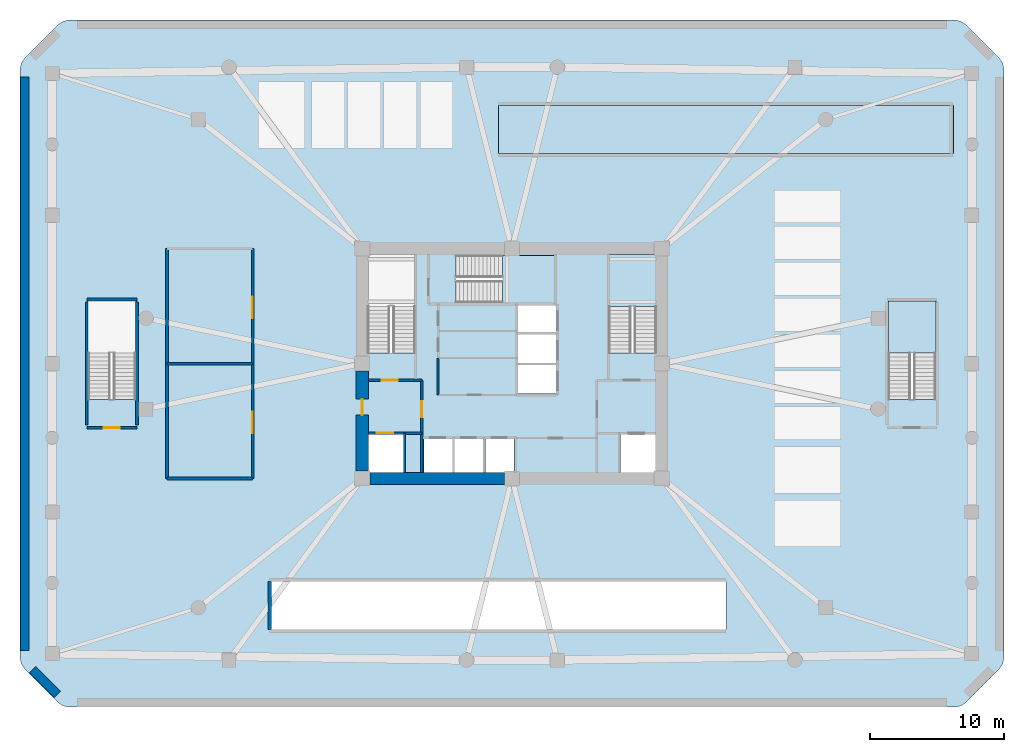
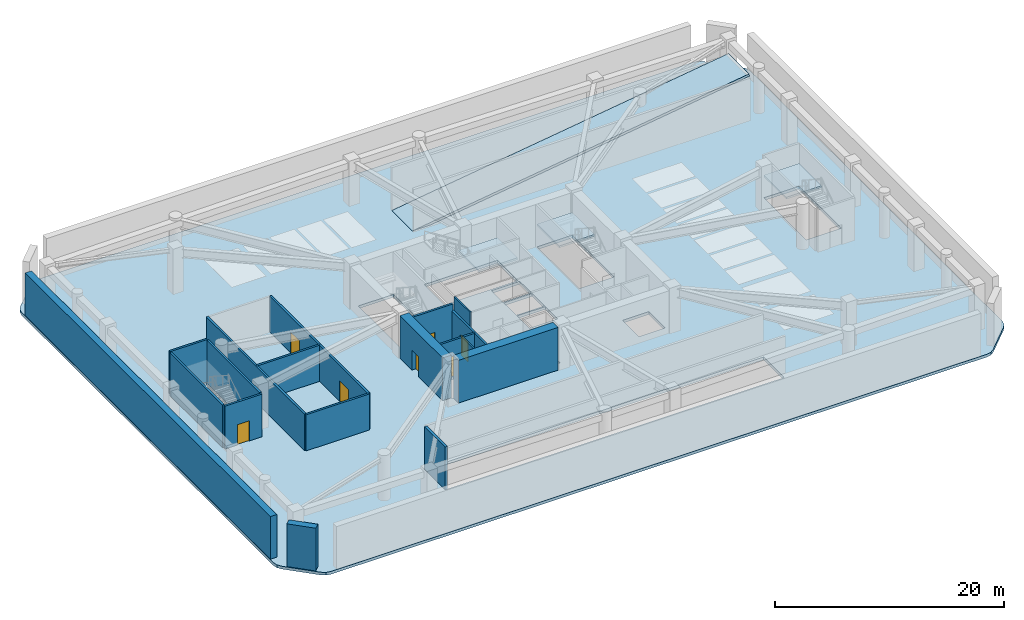
# One storey, part 2 of 8: 18 walls, 7 doors, 5 slabs, 7 openings, 3 elements without a shape of their own.
"""IFC4 building model written with IfcOpenShell, lengths in metres."""

from ifc_helpers import new_model, si_unit, derived_unit, direction, frame, frame_2d, origin, place, context, subcontext, project, spatial, polyline, rectangle, outline, extrude, material, layer, layer_set, type_object, element, fill, aggregate, save


model = new_model("IFC4")

# Units and contexts
model_context = context("Model", 3, precision=1e-05, world=origin(), true_north=direction((0.0, 1.0)))
body_context = subcontext(model_context, "Body", "Model", "MODEL_VIEW")
ifc_project = project(units=[si_unit("LENGTHUNIT", "METRE"), si_unit("AREAUNIT", "SQUARE_METRE"), si_unit("VOLUMEUNIT", "CUBIC_METRE"), si_unit("PLANEANGLEUNIT", "RADIAN"), si_unit("MASSUNIT", "GRAM", prefix="KILO"), derived_unit("THERMALTRANSMITTANCEUNIT", [(si_unit("POWERUNIT", "WATT"), 1), (si_unit("LENGTHUNIT", "METRE"), -2), (si_unit("THERMODYNAMICTEMPERATUREUNIT", "KELVIN"), -1)])], contexts=[model_context])

# Site, building, storey
site_placement = place(None, origin())
site = spatial("IfcSite", under=ifc_project, at=site_placement, CompositionType="ELEMENT")
building_placement = place(site_placement, origin())
building = spatial("IfcBuilding", under=site, at=building_placement, Name="Koralith Skygarden Medical Center", CompositionType="ELEMENT")
storey_placement = place(building_placement, frame((0.0, 0.0, -4.860107421875)))
storey = spatial("IfcBuildingStorey", under=building, at=storey_placement, Name="B1", CompositionType="ELEMENT", Elevation=-4.860107421875)

# Slab
ifc_material_1 = material(Name="Concrete C45/55", Category="concrete")
ifc_layer_1 = layer(ifc_material_1, 0.260009765625)
ifc_layer_set_1 = layer_set([ifc_layer_1], Name="Concrete C45/55")
slab_type_1 = type_object("IfcSlabType", Name="Car Park Structural Vehicle Ramp Slab 260", PredefinedType="FLOOR", material=ifc_layer_set_1)
slab_1_placement = place(storey_placement, frame((36.0, 41.60009765625, 0.0), z_axis=(-0.141505945099, 0.0, 0.98993740585), x_axis=(0.98993740585, 0.0, 0.141505945099)))
element("IfcSlab", 1, at=slab_1_placement, inside=storey, type_object=slab_type_1, Name="Car Park Vehicle Ramp R2 Structural Slab", PredefinedType="FLOOR", context=body_context, shape_type="SweptSolid", body=[
    extrude(outline(polyline([(0.0, 0.0), (34.34560589292558, 0.0), (34.34560589292558, 3.599853515625), (0.0, 3.599853515625), (0.0, 0.0)])), origin(), (0.0, 0.0, -1.0), 0.260009765625),
])

# Stair, slab
stair_type = type_object("IfcStairType", Name="Core Exit Dogleg Concrete Stair", PredefinedType="HALF_TURN_STAIR", material=ifc_material_1)
stair_1_placement = place(storey_placement, origin())
stair_1 = element("IfcStair", 2, at=stair_1_placement, inside=storey, type_object=stair_type, Name="B1 Smokeproof Exit Stair ST2", PredefinedType="HALF_TURN_STAIR")
ifc_layer_2 = layer(ifc_material_1, 0.199951171875)
ifc_layer_set_2 = layer_set([ifc_layer_2], Name="Concrete C45/55")
slab_type_2 = type_object("IfcSlabType", Name="Core Exit Concrete Stair Landing 200", PredefinedType="LANDING", material=ifc_layer_set_2)
slab_2_placement = place(storey_placement, frame((0.0, 0.0, 2.230224609375)))
slab_2 = element("IfcSlab", 3, at=slab_2_placement, type_object=slab_type_2, Name="ST2 landing 1", PredefinedType="LANDING", context=body_context, shape_type="SweptSolid", body=[
    extrude(outline(polyline([(47.800048828125, 30.179931640625), (47.800048828125, 34.050048828125), (44.25, 34.050048828125), (44.25, 30.179931640625), (47.800048828125, 30.179931640625)])), origin(), (0.0, 0.0, 1.0), 0.199951171875),
])
aggregate(stair_1, [slab_2])

stair_2_placement = place(storey_placement, origin())
stair_2 = element("IfcStair", 4, at=stair_2_placement, inside=storey, type_object=stair_type, Name="B1 Smokeproof Exit Stair ST3", PredefinedType="HALF_TURN_STAIR")
slab_3_placement = place(storey_placement, frame((0.0, 0.0, 2.230224609375)))
slab_3 = element("IfcSlab", 5, at=slab_3_placement, type_object=slab_type_2, Name="ST3 landing 1", PredefinedType="LANDING", context=body_context, shape_type="SweptSolid", body=[
    extrude(outline(polyline([(36.280029296875, 30.449951171875), (40.199951171875, 30.449951171875), (40.199951171875, 34.0), (36.280029296875, 34.0), (36.280029296875, 30.449951171875)])), origin(), (0.0, 0.0, 1.0), 0.199951171875),
])
aggregate(stair_2, [slab_3])

stair_3_placement = place(storey_placement, origin())
stair_3 = element("IfcStair", 6, at=stair_3_placement, inside=storey, type_object=stair_type, Name="B1 Podium Smokeproof Exit Stair ST5", PredefinedType="HALF_TURN_STAIR")
slab_4_placement = place(storey_placement, frame((0.0, 0.0, 2.230224609375)))
slab_4 = element("IfcSlab", 7, at=slab_4_placement, type_object=slab_type_2, Name="ST5 landing 1", PredefinedType="LANDING", context=body_context, shape_type="SweptSolid", body=[
    extrude(outline(polyline([(68.699951171875, 26.679931640625), (68.699951171875, 30.60009765625), (65.14990234375, 30.60009765625), (65.14990234375, 26.679931640625), (68.699951171875, 26.679931640625)])), origin(), (0.0, 0.0, 1.0), 0.199951171875),
])
aggregate(stair_3, [slab_4])

# Slab
ifc_layer_3 = layer(ifc_material_1, 0.300048828125)
ifc_layer_set_3 = layer_set([ifc_layer_3], Name="Concrete C45/55")
slab_type_3 = type_object("IfcSlabType", Name="Podium & Diagnostic Stiffened Slab 300", PredefinedType="FLOOR", material=ifc_layer_set_3)
slab_5_placement = place(storey_placement, frame((0.0, 0.0, -0.2998046875)))
element("IfcSlab", 8, at=slab_5_placement, inside=storey, type_object=slab_type_3, Name="Level B1 Structural Floor Slab", PredefinedType="FLOOR", context=body_context, shape_type="SweptSolid", body=[
    extrude(outline(polyline([(3.049072265625, 0.551025390625), (3.43798828125, 0.291015625), (3.89697265625, 0.199951171875), (70.10302734375, 0.199951171875), (70.56201171875, 0.291015625), (70.950927734375, 0.551025390625), (73.448974609375, 3.049072265625), (73.708984375, 3.43798828125), (73.800048828125, 3.89697265625), (73.800048828125, 47.903076171875), (73.708984375, 48.362060546875), (73.448974609375, 48.7509765625), (70.950927734375, 51.2490234375), (70.56201171875, 51.509033203125), (70.10302734375, 51.60009765625), (3.89697265625, 51.60009765625), (3.43798828125, 51.509033203125), (3.049072265625, 51.2490234375), (0.551025390625, 48.7509765625), (0.291015625, 48.362060546875), (0.199951171875, 47.903076171875), (0.199951171875, 3.89697265625), (0.291015625, 3.43798828125), (0.551025390625, 3.049072265625), (3.049072265625, 0.551025390625)]), holes=[polyline([(26.199951171875, 26.705078125), (29.75, 26.705078125), (29.75, 34.050048828125), (26.199951171875, 34.050048828125), (26.199951171875, 26.705078125)]), polyline([(44.25, 26.705078125), (47.800048828125, 26.705078125), (47.800048828125, 34.050048828125), (44.25, 34.050048828125), (44.25, 26.705078125)]), polyline([(32.804931640625, 30.449951171875), (40.199951171875, 30.449951171875), (40.199951171875, 34.0), (32.804931640625, 34.0), (32.804931640625, 30.449951171875)]), polyline([(5.300048828125, 23.205078125), (8.85009765625, 23.205078125), (8.85009765625, 30.60009765625), (5.300048828125, 30.60009765625), (5.300048828125, 23.205078125)]), polyline([(65.14990234375, 23.205078125), (68.699951171875, 23.205078125), (68.699951171875, 30.60009765625), (65.14990234375, 30.60009765625), (65.14990234375, 23.205078125)]), polyline([(26.25, 17.75), (28.89990234375, 17.75), (28.89990234375, 20.60009765625), (26.25, 20.60009765625), (26.25, 17.75)]), polyline([(45.10009765625, 17.75), (47.75, 17.75), (47.75, 20.60009765625), (45.10009765625, 20.60009765625), (45.10009765625, 17.75)]), polyline([(30.39990234375, 17.75), (32.550048828125, 17.75), (32.550048828125, 20.25), (30.39990234375, 20.25), (30.39990234375, 17.75)]), polyline([(32.699951171875, 17.75), (34.85009765625, 17.75), (34.85009765625, 20.25), (32.699951171875, 20.25), (32.699951171875, 17.75)]), polyline([(35.0, 17.75), (37.14990234375, 17.75), (37.14990234375, 20.25), (35.0, 20.25), (35.0, 17.75)]), polyline([(37.449951171875, 23.64990234375), (40.300048828125, 23.64990234375), (40.300048828125, 25.800048828125), (37.449951171875, 25.800048828125), (37.449951171875, 23.64990234375)]), polyline([(37.449951171875, 25.949951171875), (40.300048828125, 25.949951171875), (40.300048828125, 28.10009765625), (37.449951171875, 28.10009765625), (37.449951171875, 25.949951171875)]), polyline([(37.449951171875, 28.25), (40.300048828125, 28.25), (40.300048828125, 30.25), (37.449951171875, 30.25), (37.449951171875, 28.25)]), polyline([(19.0, 6.0), (53.0, 6.0), (53.0, 9.60009765625), (19.0, 9.60009765625), (19.0, 6.0)])]), origin(), (0.0, 0.0, 1.0), 0.2998046875),
])

# Walls
ifc_material_2 = material(Name="Concrete C55/67", Category="concrete")
ifc_layer_4 = layer(ifc_material_2, 0.64990234375)
ifc_layer_set_4 = layer_set([ifc_layer_4], Name="Concrete C55/67")
wall_type_1 = type_object("IfcWallType", Name="Basement Retaining Wall 650", PredefinedType="SOLIDWALL", material=ifc_layer_set_4)
wall_1_placement = place(storey_placement, frame((0.550048828125, 47.344970703125, 0.0), z_axis=(0.0, 0.0, 1.0), x_axis=(0.0, -1.0, 0.0)))
element("IfcWall", 9, at=wall_1_placement, inside=storey, type_object=wall_type_1, Name="B1 Basement Retaining Wall W", PredefinedType="SOLIDWALL", context=body_context, shape_type="SweptSolid", body=[
    extrude(rectangle(XDim=42.889892578125, YDim=0.64990234375, at=frame_2d((21.44482421875, 0.0))), origin(), (0.0, 0.0, 1.0), 4.56005859375),
])
wall_2_placement = place(storey_placement, frame((1.15087890625, 3.00390625, 0.0), z_axis=(0.0, 0.0, 1.0), x_axis=(0.707106781187, -0.707106781187, 0.0)))
element("IfcWall", 10, at=wall_2_placement, inside=storey, type_object=wall_type_1, Name="B1 Basement Retaining Wall SW", PredefinedType="SOLIDWALL", context=body_context, shape_type="SweptSolid", body=[
    extrude(rectangle(XDim=2.62060546875, YDim=0.64990234375, at=frame_2d((1.310302734375, 0.0))), origin(), (0.0, 0.0, 1.0), 4.56005859375),
])
ifc_material_3 = material(Name="Gypsum Board Partition")
ifc_layer_5 = layer(ifc_material_3, 0.14990234375)
ifc_layer_set_5 = layer_set([ifc_layer_5], Name="Gypsum Board Partition")
wall_type_2 = type_object("IfcWallType", Name="Clinical Acoustic Partition 150", PredefinedType="PARTITIONING", material=ifc_layer_set_5)
wall_3_placement = place(storey_placement, frame((31.47998046875, 23.56005859375, 0.0), z_axis=(0.0, 0.0, 1.0), x_axis=(0.0, 1.0, 0.0)))
element("IfcWall", 11, at=wall_3_placement, inside=storey, type_object=wall_type_2, Name="B1 Clinical Acoustic Partition 150 W-CORE-B1-PH-BW", PredefinedType="PARTITIONING", context=body_context, shape_type="SweptSolid", body=[
    extrude(rectangle(XDim=2.760009765625, YDim=0.14990234375, at=frame_2d((1.3798828125, 0.0))), origin(), (0.0, 0.0, 1.0), 3.85009765625),
])

# Wall, opening, door
ifc_layer_6 = layer(ifc_material_3, 0.199951171875)
ifc_layer_set_6 = layer_set([ifc_layer_6], Name="Gypsum Board Partition")
wall_type_3 = type_object("IfcWallType", Name="Fire Shaft Wall 200", PredefinedType="SOLIDWALL", material=ifc_layer_set_6)
wall_4_placement = place(storey_placement, frame((26.25, 20.699951171875, 0.0), z_axis=(0.0, 0.0, 1.0), x_axis=(1.0, 0.0, 0.0)))
wall_4 = element("IfcWall", 12, at=wall_4_placement, inside=storey, type_object=wall_type_3, Name="B1 Fire Shaft Wall 200 W-CORE-B1-FF1-N", PredefinedType="SOLIDWALL", context=body_context, shape_type="SweptSolid", body=[
    extrude(rectangle(XDim=4.0, YDim=0.199951171875, at=frame_2d((2.0, 0.0))), origin(), (0.0, 0.0, 1.0), 3.85009765625),
])
opening_1_placement = place(wall_4_placement, frame((0.64990234375, 0.0, 0.0)))
opening_1 = element("IfcOpeningElement", 13, at=opening_1_placement, cuts=wall_4, Name="Opening LD-FF", PredefinedType="OPENING", context=body_context, shape_type="SweptSolid", body=[
    extrude(rectangle(XDim=1.199951171875, YDim=2.14990234375, at=frame_2d((0.60009765625, 1.074951171875))), frame((0.0, 0.10986328125, 0.0), z_axis=(0.0, -1.0, 0.0), x_axis=(1.0, 0.0, 0.0)), (0.0, 0.0, 1.0), 0.219970703125),
])
ifc_material_4 = material(Name="Steel ASTM A500 Grade C", Category="steel")
door_type_1 = type_object("IfcDoorType", Name="Fire Lift Sliding Landing Door LD-FF 1200", OperationType="NOTDEFINED", PredefinedType="DOOR", material=ifc_material_4)
door_1_placement = place(opening_1_placement, origin())
door_1 = element("IfcDoor", 14, at=door_1_placement, inside=storey, type_object=door_type_1, Name="B1 Fire Service Elevator FF1 Landing Door", OperationType="SLIDING_TO_LEFT", OverallHeight=2.14990234375, OverallWidth=1.199951171875, PredefinedType="DOOR", context=body_context, shape_type="SweptSolid", body=[
    extrude(rectangle(XDim=1.199951171875, YDim=2.14990234375, at=frame_2d((0.60009765625, 1.074951171875))), frame((0.0, 0.02490234375, 0.0), z_axis=(0.0, -1.0, 0.0), x_axis=(1.0, 0.0, 0.0)), (0.0, 0.0, 1.0), 0.050048828125),
])
fill(opening_1, door_1)

wall_5_placement = place(storey_placement, frame((30.25, 17.75, 0.0), z_axis=(0.0, 0.0, 1.0), x_axis=(0.0, 1.0, 0.0)))
wall_5 = element("IfcWall", 15, at=wall_5_placement, inside=storey, type_object=wall_type_3, Name="B1 Fire Shaft Wall 200 W-CORE-B1-FSAEW-E", PredefinedType="SOLIDWALL", context=body_context, shape_type="SweptSolid", body=[
    extrude(rectangle(XDim=6.89990234375, YDim=0.199951171875, at=frame_2d((3.449951171875, 0.0))), origin(), (0.0, 0.0, 1.0), 3.85009765625),
])
opening_2_placement = place(wall_5_placement, frame((4.14990234375, 0.0, 0.0)))
opening_2 = element("IfcOpeningElement", 16, at=opening_2_placement, cuts=wall_5, Name="Opening D-ST60", PredefinedType="OPENING", context=body_context, shape_type="SweptSolid", body=[
    extrude(rectangle(XDim=1.199951171875, YDim=2.14990234375, at=frame_2d((0.60009765625, 1.074951171875))), frame((0.0, 0.10986328125, 0.0), z_axis=(0.0, -1.0, 0.0), x_axis=(1.0, 0.0, 0.0)), (0.0, 0.0, 1.0), 0.219970703125),
])
door_type_2 = type_object("IfcDoorType", Name="Smokeproof Stair Fire Door FD60S 1200", OperationType="NOTDEFINED", PredefinedType="DOOR", material=ifc_material_4)
door_2_placement = place(opening_2_placement, origin())
door_2 = element("IfcDoor", 17, at=door_2_placement, inside=storey, type_object=door_type_2, Name="B1 West Firefighting Lobby Inner Fire Door", OperationType="SINGLE_SWING_LEFT", OverallHeight=2.14990234375, OverallWidth=1.199951171875, PredefinedType="DOOR", context=body_context, shape_type="SweptSolid", body=[
    extrude(rectangle(XDim=1.199951171875, YDim=2.14990234375, at=frame_2d((0.60009765625, 1.074951171875))), frame((0.0, 0.02490234375, 0.0), z_axis=(0.0, -1.0, 0.0), x_axis=(1.0, 0.0, 0.0)), (0.0, 0.0, 1.0), 0.050048828125),
])
fill(opening_2, door_2)

# Wall, openings, doors
wall_6_placement = place(storey_placement, frame((17.60009765625, 17.300048828125, 0.0), z_axis=(0.0, 0.0, 1.0), x_axis=(0.0, 1.0, 0.0)))
wall_6 = element("IfcWall", 18, at=wall_6_placement, inside=storey, type_object=wall_type_3, Name="B1 Fire Shaft Wall 200 W-BASE-B1-BLKE", PredefinedType="SOLIDWALL", context=body_context, shape_type="SweptSolid", body=[
    extrude(rectangle(XDim=17.199951171875, YDim=0.199951171875, at=frame_2d((8.60009765625, 0.0))), origin(), (0.0, 0.0, 1.0), 3.85009765625),
])
opening_3_placement = place(wall_6_placement, frame((3.39990234375, 0.0, 0.0)))
opening_3 = element("IfcOpeningElement", 19, at=opening_3_placement, cuts=wall_6, Name="Opening D-DBL", PredefinedType="OPENING", context=body_context, shape_type="SweptSolid", body=[
    extrude(rectangle(XDim=1.60009765625, YDim=2.199951171875, at=frame_2d((0.800048828125, 1.10009765625))), frame((0.0, 0.10986328125, 0.0), z_axis=(0.0, -1.0, 0.0), x_axis=(1.0, 0.0, 0.0)), (0.0, 0.0, 1.0), 0.219970703125),
])
opening_4_placement = place(wall_6_placement, frame((12.0, 0.0, 0.0)))
opening_4 = element("IfcOpeningElement", 20, at=opening_4_placement, cuts=wall_6, Name="Opening D-DBL", PredefinedType="OPENING", context=body_context, shape_type="SweptSolid", body=[
    extrude(rectangle(XDim=1.60009765625, YDim=2.199951171875, at=frame_2d((0.800048828125, 1.10009765625))), frame((0.0, 0.10986328125, 0.0), z_axis=(0.0, -1.0, 0.0), x_axis=(1.0, 0.0, 0.0)), (0.0, 0.0, 1.0), 0.219970703125),
])
ifc_material_5 = material(Name="Aluminium 6063-T6", Category="aluminium")
door_type_3 = type_object("IfcDoorType", Name="Double Clinical Suite Door D-DBL 1600", OperationType="NOTDEFINED", PredefinedType="DOOR", material=ifc_material_5)
door_3_placement = place(opening_3_placement, origin())
door_3 = element("IfcDoor", 21, at=door_3_placement, inside=storey, type_object=door_type_3, Name="B1 Rail Transit Transfer Mezzanine Concourse Door", OperationType="DOUBLE_DOOR_SINGLE_SWING", OverallHeight=2.199951171875, OverallWidth=1.60009765625, PredefinedType="DOOR", context=body_context, shape_type="SweptSolid", body=[
    extrude(rectangle(XDim=1.60009765625, YDim=2.199951171875, at=frame_2d((0.800048828125, 1.10009765625))), frame((0.0, 0.02490234375, 0.0), z_axis=(0.0, -1.0, 0.0), x_axis=(1.0, 0.0, 0.0)), (0.0, 0.0, 1.0), 0.050048828125),
])
fill(opening_3, door_3)
door_4_placement = place(opening_4_placement, origin())
door_4 = element("IfcDoor", 22, at=door_4_placement, inside=storey, type_object=door_type_3, Name="B1 Automated AGV Pharmacy Logistics Hub Door", OperationType="DOUBLE_DOOR_SINGLE_SWING", OverallHeight=2.199951171875, OverallWidth=1.60009765625, PredefinedType="DOOR", context=body_context, shape_type="SweptSolid", body=[
    extrude(rectangle(XDim=1.60009765625, YDim=2.199951171875, at=frame_2d((0.800048828125, 1.10009765625))), frame((0.0, 0.02490234375, 0.0), z_axis=(0.0, -1.0, 0.0), x_axis=(1.0, 0.0, 0.0)), (0.0, 0.0, 1.0), 0.050048828125),
])
fill(opening_4, door_4)

# Walls
wall_7_placement = place(storey_placement, frame((11.199951171875, 17.300048828125, 0.0), z_axis=(0.0, 0.0, 1.0), x_axis=(1.0, 0.0, 0.0)))
element("IfcWall", 23, at=wall_7_placement, inside=storey, type_object=wall_type_3, Name="B1 Fire Shaft Wall 200 W-BASE-B1-BLKS", PredefinedType="SOLIDWALL", context=body_context, shape_type="SweptSolid", body=[
    extrude(rectangle(XDim=6.400146484375, YDim=0.199951171875, at=frame_2d((3.2001953125, 0.0))), origin(), (0.0, 0.0, 1.0), 3.85009765625),
])
wall_8_placement = place(storey_placement, frame((11.199951171875, 17.300048828125, 0.0), z_axis=(0.0, 0.0, 1.0), x_axis=(0.0, 1.0, 0.0)))
element("IfcWall", 24, at=wall_8_placement, inside=storey, type_object=wall_type_3, Name="B1 Fire Shaft Wall 200 W-BASE-B1-BLKW", PredefinedType="SOLIDWALL", context=body_context, shape_type="SweptSolid", body=[
    extrude(rectangle(XDim=17.199951171875, YDim=0.199951171875, at=frame_2d((8.60009765625, 0.0))), origin(), (0.0, 0.0, 1.0), 3.85009765625),
])
wall_9_placement = place(storey_placement, frame((11.199951171875, 25.89990234375, 0.0), z_axis=(0.0, 0.0, 1.0), x_axis=(1.0, 0.0, 0.0)))
element("IfcWall", 25, at=wall_9_placement, inside=storey, type_object=wall_type_3, Name="B1 Fire Shaft Wall 200 W-BASE-B1-BLKM", PredefinedType="SOLIDWALL", context=body_context, shape_type="SweptSolid", body=[
    extrude(rectangle(XDim=6.400146484375, YDim=0.199951171875, at=frame_2d((3.2001953125, 0.0))), origin(), (0.0, 0.0, 1.0), 3.85009765625),
])
ifc_material_6 = material(Name="Concrete C70/85", Category="concrete")
ifc_layer_7 = layer(ifc_material_6, 0.89990234375)
ifc_layer_set_7 = layer_set([ifc_layer_7], Name="Concrete C70/85")
wall_type_4 = type_object("IfcWallType", Name="Lower Core Shear Wall 900", PredefinedType="SHEAR", material=ifc_layer_set_7)
wall_10_placement = place(storey_placement, frame((26.364990234375, 17.300048828125, 0.0), z_axis=(0.0, 0.0, 1.0), x_axis=(1.0, 0.0, 0.0)))
element("IfcWall", 26, at=wall_10_placement, inside=storey, type_object=wall_type_4, Name="B1 Core Shear Wall Segment 1", PredefinedType="SHEAR", context=body_context, shape_type="SweptSolid", body=[
    extrude(rectangle(XDim=10.070068359375, YDim=0.89990234375, at=frame_2d((5.03515625, 0.0))), origin(), (0.0, 0.0, 1.0), 4.56005859375),
])

# Wall, opening, door
wall_11_placement = place(storey_placement, frame((25.800048828125, 25.3349609375, 0.0), z_axis=(0.0, 0.0, 1.0), x_axis=(0.0, -1.0, 0.0)))
wall_11 = element("IfcWall", 27, at=wall_11_placement, inside=storey, type_object=wall_type_4, Name="B1 Core Shear Wall Segment 8", PredefinedType="SHEAR", context=body_context, shape_type="SweptSolid", body=[
    extrude(rectangle(XDim=7.469970703125, YDim=0.89990234375, at=frame_2d((3.73486328125, 0.0))), origin(), (0.0, 0.0, 1.0), 4.56005859375),
])
opening_5_placement = place(wall_11_placement, frame((2.0849609375, 0.0, 0.0)))
opening_5 = element("IfcOpeningElement", 28, at=opening_5_placement, cuts=wall_11, Name="Opening D-ST60", PredefinedType="OPENING", context=body_context, shape_type="SweptSolid", body=[
    extrude(rectangle(XDim=1.199951171875, YDim=2.14990234375, at=frame_2d((0.60009765625, 1.074951171875))), frame((0.0, 0.4599609375, 0.0), z_axis=(0.0, -1.0, 0.0), x_axis=(1.0, 0.0, 0.0)), (0.0, 0.0, 1.0), 0.919921875),
])
door_5_placement = place(opening_5_placement, frame((1.199951171875, 0.0, 0.0), z_axis=(0.0, 0.0, 1.0), x_axis=(-1.0, 0.0, 0.0)))
door_5 = element("IfcDoor", 29, at=door_5_placement, inside=storey, type_object=door_type_2, Name="B1 West Corridor to Firefighting Lobby Door", OperationType="SINGLE_SWING_LEFT", OverallHeight=2.14990234375, OverallWidth=1.199951171875, PredefinedType="DOOR", context=body_context, shape_type="SweptSolid", body=[
    extrude(rectangle(XDim=1.199951171875, YDim=2.14990234375, at=frame_2d((0.60009765625, 1.074951171875))), frame((0.0, 0.02490234375, 0.0), z_axis=(0.0, -1.0, 0.0), x_axis=(1.0, 0.0, 0.0)), (0.0, 0.0, 1.0), 0.050048828125),
])
fill(opening_5, door_5)

# Wall
ifc_layer_8 = layer(ifc_material_3, 0.14990234375)
ifc_layer_set_8 = layer_set([ifc_layer_8], Name="Gypsum Board Partition")
wall_type_5 = type_object("IfcWallType", Name="Shaft Partition Wall 150", PredefinedType="PARTITIONING", material=ifc_layer_set_8)
wall_12_placement = place(storey_placement, frame((28.969970703125, 17.75, 0.0), z_axis=(0.0, 0.0, 1.0), x_axis=(0.0, 1.0, 0.0)))
element("IfcWall", 30, at=wall_12_placement, inside=storey, type_object=wall_type_5, Name="B1 Shaft Partition Wall 150 W-CORE-B1-RSRW-DIV", PredefinedType="PARTITIONING", context=body_context, shape_type="SweptSolid", body=[
    extrude(rectangle(XDim=2.949951171875, YDim=0.14990234375, at=frame_2d((1.47509765625, 0.0))), origin(), (0.0, 0.0, 1.0), 3.85009765625),
])

# Wall, opening, door
ifc_layer_9 = layer(ifc_material_1, 0.199951171875)
ifc_layer_set_9 = layer_set([ifc_layer_9], Name="Concrete C45/55")
wall_type_6 = type_object("IfcWallType", Name="Structural Stair Shaft Wall 200", PredefinedType="SHEAR", material=ifc_layer_set_9)
wall_13_placement = place(storey_placement, frame((26.25, 24.64990234375, 0.0), z_axis=(0.0, 0.0, 1.0), x_axis=(1.0, 0.0, 0.0)))
wall_13 = element("IfcWall", 31, at=wall_13_placement, inside=storey, type_object=wall_type_6, Name="B1 Structural Stair Shaft Wall 200 W-CORE-B1-ST1-S", PredefinedType="SHEAR", context=body_context, shape_type="SweptSolid", body=[
    extrude(rectangle(XDim=4.0, YDim=0.199951171875, at=frame_2d((2.0, 0.0))), origin(), (0.0, 0.0, 1.0), 4.56005859375),
])
opening_6_placement = place(wall_13_placement, frame((1.0, 0.0, 0.0)))
opening_6 = element("IfcOpeningElement", 32, at=opening_6_placement, cuts=wall_13, Name="Opening D-ST60", PredefinedType="OPENING", context=body_context, shape_type="SweptSolid", body=[
    extrude(rectangle(XDim=1.199951171875, YDim=2.14990234375, at=frame_2d((0.60009765625, 1.074951171875))), frame((0.0, 0.10986328125, 0.0), z_axis=(0.0, -1.0, 0.0), x_axis=(1.0, 0.0, 0.0)), (0.0, 0.0, 1.0), 0.219970703125),
])
door_6_placement = place(opening_6_placement, origin())
door_6 = element("IfcDoor", 33, at=door_6_placement, inside=storey, type_object=door_type_2, Name="B1 Exit Stair ST1 Fire Door", OperationType="SINGLE_SWING_LEFT", OverallHeight=2.14990234375, OverallWidth=1.199951171875, PredefinedType="DOOR", context=body_context, shape_type="SweptSolid", body=[
    extrude(rectangle(XDim=1.199951171875, YDim=2.14990234375, at=frame_2d((0.60009765625, 1.074951171875))), frame((0.0, 0.02490234375, 0.0), z_axis=(0.0, -1.0, 0.0), x_axis=(1.0, 0.0, 0.0)), (0.0, 0.0, 1.0), 0.050048828125),
])
fill(opening_6, door_6)

wall_14_placement = place(storey_placement, frame((5.199951171875, 21.10009765625, 0.0), z_axis=(0.0, 0.0, 1.0), x_axis=(1.0, 0.0, 0.0)))
wall_14 = element("IfcWall", 34, at=wall_14_placement, inside=storey, type_object=wall_type_6, Name="B1 Structural Stair Shaft Wall 200 W-ST4-B1-S", PredefinedType="SHEAR", context=body_context, shape_type="SweptSolid", body=[
    extrude(rectangle(XDim=3.75, YDim=0.199951171875, at=frame_2d((1.875, 0.0))), origin(), (0.0, 0.0, 1.0), 4.56005859375),
])
opening_7_placement = place(wall_14_placement, frame((1.25, 0.0, 0.0)))
opening_7 = element("IfcOpeningElement", 35, at=opening_7_placement, cuts=wall_14, Name="Opening D-ST60", PredefinedType="OPENING", context=body_context, shape_type="SweptSolid", body=[
    extrude(rectangle(XDim=1.199951171875, YDim=2.14990234375, at=frame_2d((0.60009765625, 1.074951171875))), frame((0.0, 0.10986328125, 0.0), z_axis=(0.0, -1.0, 0.0), x_axis=(1.0, 0.0, 0.0)), (0.0, 0.0, 1.0), 0.219970703125),
])
door_7_placement = place(opening_7_placement, origin())
door_7 = element("IfcDoor", 36, at=door_7_placement, inside=storey, type_object=door_type_2, Name="B1 Exit Stair ST4 Fire Door", OperationType="SINGLE_SWING_LEFT", OverallHeight=2.14990234375, OverallWidth=1.199951171875, PredefinedType="DOOR", context=body_context, shape_type="SweptSolid", body=[
    extrude(rectangle(XDim=1.199951171875, YDim=2.14990234375, at=frame_2d((0.60009765625, 1.074951171875))), frame((0.0, 0.02490234375, 0.0), z_axis=(0.0, -1.0, 0.0), x_axis=(1.0, 0.0, 0.0)), (0.0, 0.0, 1.0), 0.050048828125),
])
fill(opening_7, door_7)

# Walls
wall_15_placement = place(storey_placement, frame((5.199951171875, 30.699951171875, 0.0), z_axis=(0.0, 0.0, 1.0), x_axis=(1.0, 0.0, 0.0)))
element("IfcWall", 37, at=wall_15_placement, inside=storey, type_object=wall_type_6, Name="B1 Structural Stair Shaft Wall 200 W-ST4-B1-N", PredefinedType="SHEAR", context=body_context, shape_type="SweptSolid", body=[
    extrude(rectangle(XDim=3.75, YDim=0.199951171875, at=frame_2d((1.875, 0.0))), origin(), (0.0, 0.0, 1.0), 4.56005859375),
])
for number, where, z_axis, x_axis, name in (
    (38, (5.199951171875, 21.300048828125, 0.0), (0.0, 0.0, 1.0), (0.0, 1.0, 0.0), "B1 Structural Stair Shaft Wall 200 W-ST4-B1-W"),
    (39, (8.949951171875, 21.300048828125, 0.0), (0.0, 0.0, 1.0), (0.0, 1.0, 0.0), "B1 Structural Stair Shaft Wall 200 W-ST4-B1-E"),
):
    element("IfcWall", number, at=place(storey_placement, frame(where, z_axis=z_axis, x_axis=x_axis)), inside=storey, type_object=wall_type_6, Name=name, PredefinedType="SHEAR", context=body_context, shape_type="SweptSolid", body=[
        extrude(rectangle(XDim=9.199951171875, YDim=0.199951171875, at=frame_2d((4.60009765625, 0.0))), origin(), (0.0, 0.0, 1.0), 4.56005859375),
    ])
ifc_layer_10 = layer(ifc_material_1, 0.25)
ifc_layer_set_10 = layer_set([ifc_layer_10], Name="Concrete C45/55")
wall_type_7 = type_object("IfcWallType", Name="Vehicle Ramp Enclosure Wall 250", PredefinedType="SOLIDWALL", material=ifc_layer_set_10)
wall_16_placement = place(storey_placement, frame((18.8798828125, 6.0, 0.0), z_axis=(0.0, 0.0, 1.0), x_axis=(0.0, 1.0, 0.0)))
element("IfcWall", 40, at=wall_16_placement, inside=storey, type_object=wall_type_7, Name="B1 Car Park Ramp R1 Well Wall W", PredefinedType="SOLIDWALL", context=body_context, shape_type="SweptSolid", body=[
    extrude(rectangle(XDim=3.60009765625, YDim=0.25, at=frame_2d((1.800048828125, 0.0))), origin(), (0.0, 0.0, 1.0), 4.56005859375),
])

save(model, "model.ifc")
